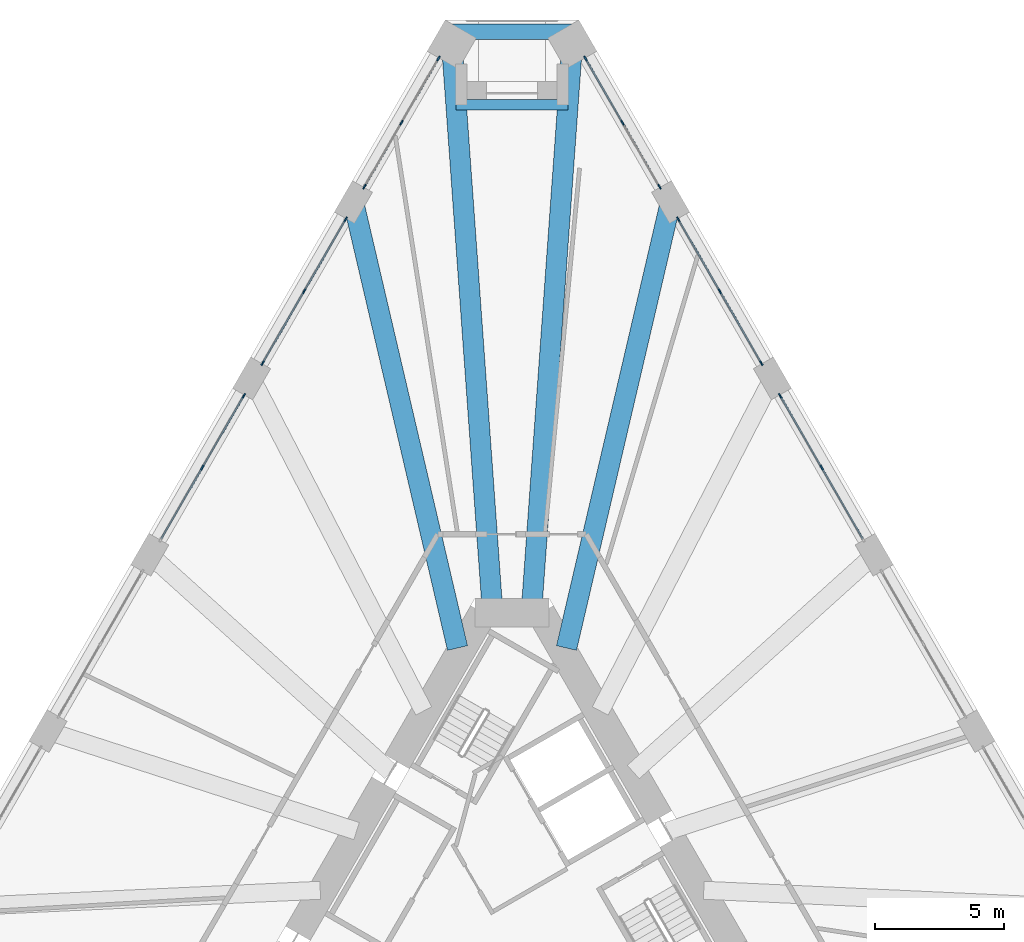
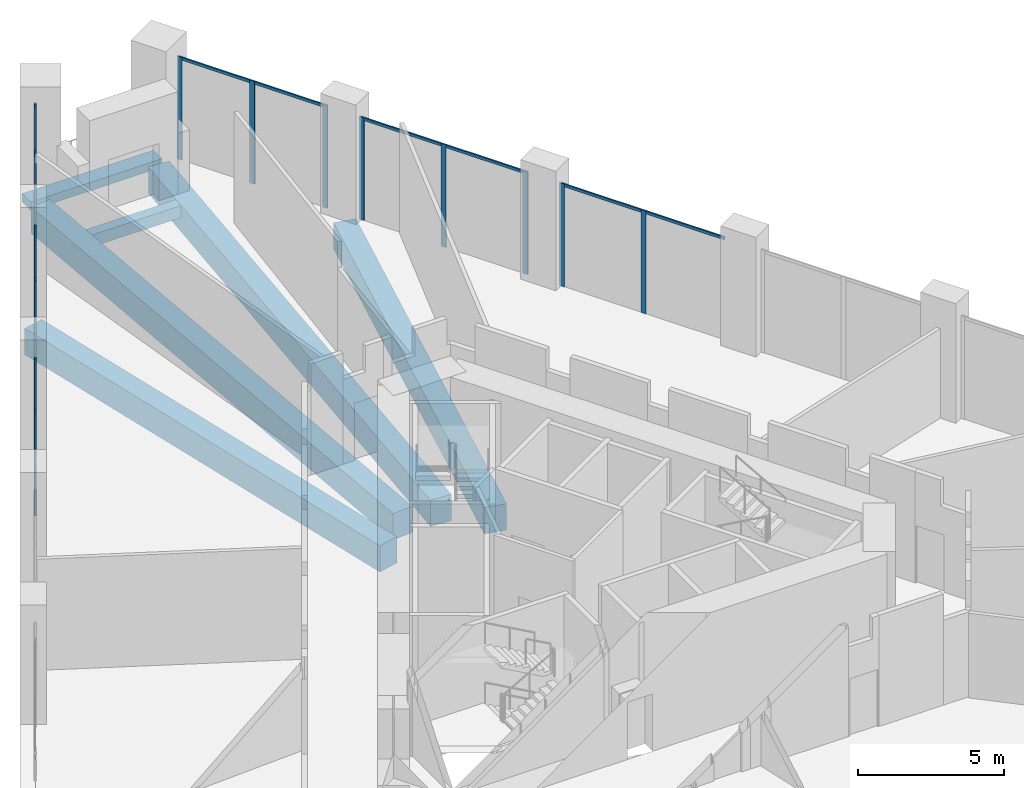
# One storey, part 11 of 20: 28 members, 6 beams, 6 elements without a shape of their own.
"""IFC4 building model written with IfcOpenShell, lengths in metres."""

import ifcopenshell
import ifcopenshell.guid

model = None  # the IFC model being written
_history = None  # IfcOwnerHistory: only IFC2X3 demands one
_inside = {}  # id of a spatial element -> (the spatial element, [elements in it])
_under = {}  # id of a project, library or spatial element -> (it, [spatial elements below it])
_declared = {}  # id of a project -> (the project, [libraries it declares])
_typed = {}  # id of a type object -> (the type object, [elements of that type])
_made_of = {}  # id of a material, layer set ... -> (it, [elements and type objects made of it])


def new_model(schema):
    """Start an empty IFC model of exactly this schema.

    Asked for "IFC4X3", IfcOpenShell would pick the latest addendum, in which some entities
    have other attributes; the version numbers below select the first issue.
    IFC2X3 requires an IfcOwnerHistory on every rooted entity: one is made here for all.
    """
    global model, _history
    if schema == "IFC4X3":
        model = ifcopenshell.file(schema_version=(4, 3, 0, 0))
    else:
        model = ifcopenshell.file(schema=schema)
    _inside.clear()
    _under.clear()
    _declared.clear()
    _typed.clear()
    _made_of.clear()
    _history = None
    if model.schema == "IFC2X3":
        org = make("IfcOrganization", Name="unknown")
        user = make(
            "IfcPersonAndOrganization",
            ThePerson=make("IfcPerson", FamilyName="unknown"),
            TheOrganization=org,
        )
        app = make(
            "IfcApplication",
            ApplicationDeveloper=org,
            Version="unknown",
            ApplicationFullName="unknown",
            ApplicationIdentifier="unknown",
        )
        _history = make(
            "IfcOwnerHistory",
            OwningUser=user,
            OwningApplication=app,
            ChangeAction="ADDED",
            CreationDate=0,
        )
    return model


def make(cls, **values):
    """One entity of the class cls with the attributes given. An attribute that is None is left unset."""
    return model.create_entity(
        cls, **{name: value for name, value in values.items() if value is not None}
    )


def rooted(cls, **values):
    """An entity with a GlobalId (a new one), such as an element, a storey or a relation."""
    return make(cls, GlobalId=ifcopenshell.guid.new(), OwnerHistory=_history, **values)


def si_unit(unit_type, name, prefix=None):
    """IfcSIUnit, for example si_unit("LENGTHUNIT", "METRE", prefix="MILLI")."""
    return make("IfcSIUnit", UnitType=unit_type, Prefix=prefix, Name=name)


def assignment(units):
    """IfcUnitAssignment: the units of a project."""
    return None if units is None else make("IfcUnitAssignment", Units=units)


def point(xyz):
    """IfcCartesianPoint."""
    return None if xyz is None else make("IfcCartesianPoint", Coordinates=xyz)


def direction(xyz):
    """IfcDirection."""
    return None if xyz is None else make("IfcDirection", DirectionRatios=xyz)


def frame(location, z_axis=None, x_axis=None):
    """IfcAxis2Placement3D, a coordinate frame: its origin and axes. An axis left out is left unset."""
    return make(
        "IfcAxis2Placement3D",
        Location=point(location),
        Axis=direction(z_axis),
        RefDirection=direction(x_axis),
    )


def frame_2d(location, x_axis=None):
    """IfcAxis2Placement2D, a coordinate frame in the plane: its origin and x axis."""
    return make(
        "IfcAxis2Placement2D", Location=point(location), RefDirection=direction(x_axis)
    )


def origin():
    """The frame at (0, 0, 0) with its axes left unset."""
    return frame((0.0, 0.0, 0.0))


def origin_2d():
    """The frame at (0, 0) in the plane with its x axis left unset."""
    return frame_2d((0.0, 0.0))


def place(relative_to, where):
    """IfcLocalPlacement: puts the frame where relative to a parent placement (None: the world)."""
    return make(
        "IfcLocalPlacement", PlacementRelTo=relative_to, RelativePlacement=where
    )


def context(
    kind, dimensions, precision=None, world=None, true_north=None, identifier=None
):
    """IfcGeometricRepresentationContext, for example the 3D "Model" context."""
    return make(
        "IfcGeometricRepresentationContext",
        ContextIdentifier=identifier,
        ContextType=kind,
        CoordinateSpaceDimension=dimensions,
        Precision=precision,
        WorldCoordinateSystem=world,
        TrueNorth=true_north,
    )


def subcontext(parent, identifier, kind, view, scale=None):
    """IfcGeometricRepresentationSubContext, for example "Body" below "Model"."""
    return make(
        "IfcGeometricRepresentationSubContext",
        ContextIdentifier=identifier,
        ContextType=kind,
        ParentContext=parent,
        TargetScale=scale,
        TargetView=view,
    )


def project(units=None, contexts=None):
    """IfcProject with its units and contexts."""
    return rooted(
        "IfcProject",
        Name="project",
        RepresentationContexts=contexts,
        UnitsInContext=assignment(units),
    )


def spatial(cls, under=None, at=None, **own):
    """A site, building, storey or space (cls), placed at a placement, below another one or the project."""
    s = rooted(cls, ObjectPlacement=at, **own)
    if under is not None:
        _under.setdefault(under.id(), (under, []))[1].append(s)
    return s


def profile(cls, at=None, kind="AREA", **sizes):
    """A parametric profile (cls). Its sizes go by their IFC names, for example OverallWidth=200.0."""
    return make(cls, ProfileType=kind, Position=at, **sizes)


def rectangle(**sizes):
    """IfcRectangleProfileDef."""
    return profile("IfcRectangleProfileDef", **sizes)


def extrude(swept, where, along, depth):
    """IfcExtrudedAreaSolid: the profile swept, set in the frame where, extruded along a direction by depth."""
    return make(
        "IfcExtrudedAreaSolid",
        SweptArea=swept,
        Position=where,
        ExtrudedDirection=direction(along),
        Depth=depth,
    )


def shape(context_of_items, identifier, shape_type, items):
    """IfcShapeRepresentation: the items that make up one representation, for example the "Body"."""
    return make(
        "IfcShapeRepresentation",
        ContextOfItems=context_of_items,
        RepresentationIdentifier=identifier,
        RepresentationType=shape_type,
        Items=items,
    )


def material(Name=None, Category=None):
    """IfcMaterial."""
    return make("IfcMaterial", Name=Name, Category=Category)


def layer(
    of_material, thickness, ventilated=None, Name=None, Category=None, Priority=None
):
    """IfcMaterialLayer: one layer of a wall or slab, of a material (None: an air gap)."""
    return make(
        "IfcMaterialLayer",
        Material=of_material,
        LayerThickness=thickness,
        IsVentilated=ventilated,
        Name=Name,
        Category=Category,
        Priority=Priority,
    )


def layer_set(layers, Name=None):
    """IfcMaterialLayerSet."""
    return make("IfcMaterialLayerSet", MaterialLayers=layers, LayerSetName=Name)


def material_profile(
    of_material, cross_section, Name=None, Category=None, Priority=None
):
    """IfcMaterialProfile: a cross section and its material."""
    return make(
        "IfcMaterialProfile",
        Name=Name,
        Material=of_material,
        Profile=cross_section,
        Priority=Priority,
        Category=Category,
    )


def profile_set(profiles, Name=None, composite=None):
    """IfcMaterialProfileSet."""
    return make(
        "IfcMaterialProfileSet",
        Name=Name,
        MaterialProfiles=profiles,
        CompositeProfile=composite,
    )


def made_of(thing, what):
    """Note that an element or type object is made of a material, layer set ...; save() writes the relation."""
    if what is not None:
        _made_of.setdefault(what.id(), (what, []))[1].append(thing)
    return thing


def type_object(cls, material=None, **own):
    """A type object (cls), such as IfcWallType, which elements share."""
    return made_of(rooted(cls, **own), material)


def element(
    cls,
    number,
    at=None,
    inside=None,
    cuts=None,
    type_object=None,
    material=None,
    context=None,
    identifier="Body",
    shape_type=None,
    held_by="IfcProductDefinitionShape",
    body=None,
    shapes=None,
    **own,
):
    """One element of the class cls, such as IfcWall. Its Tag is "e" and its number.

    at: its placement. inside: the storey or other place that contains it. cuts: it is an
    opening in that element (IfcRelVoidsElement). A single representation is given by context,
    identifier, shape_type and body (its items); several are given by shapes. held_by: the class
    of the entity that holds the representations. save() writes the other relations.
    """
    e = rooted(cls, Tag="e%d" % number, ObjectPlacement=at, **own)
    if body is not None:
        shapes = [shape(context, identifier, shape_type, body)]
    if shapes is not None:
        e.Representation = make(held_by, Representations=shapes)
    if inside is not None:
        _inside.setdefault(inside.id(), (inside, []))[1].append(e)
    if cuts is not None:
        rooted(
            "IfcRelVoidsElement", RelatingBuildingElement=cuts, RelatedOpeningElement=e
        )
    if type_object is not None:
        _typed.setdefault(type_object.id(), (type_object, []))[1].append(e)
    return made_of(e, material)


def aggregate(whole, parts):
    """IfcRelAggregates: a whole, such as a stair, and the parts it consists of."""
    return rooted("IfcRelAggregates", RelatingObject=whole, RelatedObjects=parts)


def save(model, path):
    """Write the relations noted so far, then the file.

    IfcRelAggregates (storeys below a building ...), IfcRelContainedInSpatialStructure (elements
    in a storey), IfcRelDefinesByType, IfcRelAssociatesMaterial and IfcRelDeclares: one each for
    every whole, place, type object, material and project.
    """
    for whole, parts in _under.values():
        aggregate(whole, parts)
    for where, things in _inside.values():
        rooted(
            "IfcRelContainedInSpatialStructure",
            RelatedElements=things,
            RelatingStructure=where,
        )
    for kind, things in _typed.values():
        rooted("IfcRelDefinesByType", RelatedObjects=things, RelatingType=kind)
    for what, things in _made_of.values():
        rooted("IfcRelAssociatesMaterial", RelatedObjects=things, RelatingMaterial=what)
    for by, libraries in _declared.values():
        rooted("IfcRelDeclares", RelatingContext=by, RelatedDefinitions=libraries)
    model.write(path)


model = new_model("IFC4")

# Units and contexts
model_context = context("Model", 3, precision=1e-05, world=origin(), true_north=direction((0.0, 1.0)))
body_context = subcontext(model_context, "Body", "Model", "MODEL_VIEW")
ifc_project = project(units=[si_unit("LENGTHUNIT", "METRE"), si_unit("AREAUNIT", "SQUARE_METRE"), si_unit("VOLUMEUNIT", "CUBIC_METRE"), si_unit("PLANEANGLEUNIT", "RADIAN"), si_unit("MASSUNIT", "GRAM", prefix="KILO")], contexts=[model_context])

# Site, building, storey
site_placement = place(None, origin())
site = spatial("IfcSite", under=ifc_project, at=site_placement, CompositionType="ELEMENT")
building_placement = place(site_placement, origin())
building = spatial("IfcBuilding", under=site, at=building_placement, Name="Tramontana Tower", CompositionType="ELEMENT")
storey_placement = place(building_placement, frame((0.0, 0.0, 20.0)))
storey = spatial("IfcBuildingStorey", under=building, at=storey_placement, Name="L03", CompositionType="ELEMENT", Elevation=20.0)

# Curtain wall, members
ifc_material_1 = material(Name="Aluminum extrusion", Category="aluminium")
ifc_layer = layer(ifc_material_1, 0.14990234375)
ifc_layer_set = layer_set([ifc_layer], Name="CW2 Podium amenity curtain wall")
curtain_wall_type = type_object("IfcCurtainWallType", Name="CW2 Podium amenity curtain wall", PredefinedType="NOTDEFINED", material=ifc_layer_set)
curtain_wall_1_placement = place(storey_placement, origin())
curtain_wall_1 = element("IfcCurtainWall", 1, at=curtain_wall_1_placement, inside=storey, type_object=curtain_wall_type, Name="CW2 curtain wall L03 face 0 bay 1", PredefinedType="NOTDEFINED")
ifc_material_2 = material(Name="Aluminum extrusion", Category="aluminium")
ifc_material_profile_1 = material_profile(ifc_material_2, rectangle(XDim=0.06005859375, YDim=0.199951171875, at=origin_2d()), Name="CW2-M Mullion 60 x 200")
ifc_profile_set_1 = profile_set([ifc_material_profile_1], Name="Aluminum extrusion")
member_type_1 = type_object("IfcMemberType", Name="CW2-M Mullion 60 x 200", PredefinedType="MULLION", material=ifc_profile_set_1)
member_1_placement = place(storey_placement, frame((-2.8583984375, 31.9990234375, 0.0), z_axis=(0.0, 0.0, 1.0), x_axis=(0.866025403784, -0.5, 0.0)))
member_1 = element("IfcMember", 2, at=member_1_placement, type_object=member_type_1, Name="CW2 curtain wall L03 face 0 bay 1 mullion 1", PredefinedType="MULLION", context=body_context, shape_type="SweptSolid", body=[
    extrude(rectangle(XDim=0.06005859375, YDim=0.199951171875, at=origin_2d()), origin(), (0.0, 0.0, 1.0), 4.300048828125),
])
member_2_placement = place(storey_placement, frame((-4.2978515625, 29.505859375, 0.0), z_axis=(0.0, 0.0, 1.0), x_axis=(0.866025403784, -0.5, 0.0)))
member_2 = element("IfcMember", 3, at=member_2_placement, type_object=member_type_1, Name="CW2 curtain wall L03 face 0 bay 1 mullion 2", PredefinedType="MULLION", context=body_context, shape_type="SweptSolid", body=[
    extrude(rectangle(XDim=0.06005859375, YDim=0.199951171875, at=origin_2d()), origin(), (0.0, 0.0, 1.0), 4.300048828125),
])
member_3_placement = place(storey_placement, frame((-5.7373046875, 27.012451171875, 0.0), z_axis=(0.0, 0.0, 1.0), x_axis=(0.866025403784, -0.5, 0.0)))
member_3 = element("IfcMember", 4, at=member_3_placement, type_object=member_type_1, Name="CW2 curtain wall L03 face 0 bay 1 mullion 3", PredefinedType="MULLION", context=body_context, shape_type="SweptSolid", body=[
    extrude(rectangle(XDim=0.06005859375, YDim=0.199951171875, at=origin_2d()), origin(), (0.0, 0.0, 1.0), 4.300048828125),
])

curtain_wall_2_placement = place(storey_placement, origin())
curtain_wall_2 = element("IfcCurtainWall", 5, at=curtain_wall_2_placement, inside=storey, type_object=curtain_wall_type, Name="CW2 curtain wall L03 face 0 bay 2", PredefinedType="NOTDEFINED")
member_4_placement = place(storey_placement, frame((-6.46728515625, 25.748046875, 0.0), z_axis=(0.0, 0.0, 1.0), x_axis=(0.866025403784, -0.5, 0.0)))
member_4 = element("IfcMember", 6, at=member_4_placement, type_object=member_type_1, Name="CW2 curtain wall L03 face 0 bay 2 mullion 1", PredefinedType="MULLION", context=body_context, shape_type="SweptSolid", body=[
    extrude(rectangle(XDim=0.06005859375, YDim=0.199951171875, at=origin_2d()), origin(), (0.0, 0.0, 1.0), 4.300048828125),
])
member_5_placement = place(storey_placement, frame((-8.081787109375, 22.951904296875, 0.0), z_axis=(0.0, 0.0, 1.0), x_axis=(0.866025403784, -0.5, 0.0)))
member_5 = element("IfcMember", 7, at=member_5_placement, type_object=member_type_1, Name="CW2 curtain wall L03 face 0 bay 2 mullion 2", PredefinedType="MULLION", context=body_context, shape_type="SweptSolid", body=[
    extrude(rectangle(XDim=0.06005859375, YDim=0.199951171875, at=origin_2d()), origin(), (0.0, 0.0, 1.0), 4.300048828125),
])
member_6_placement = place(storey_placement, frame((-9.6962890625, 20.155517578125, 0.0), z_axis=(0.0, 0.0, 1.0), x_axis=(0.866025403784, -0.5, 0.0)))
member_6 = element("IfcMember", 8, at=member_6_placement, type_object=member_type_1, Name="CW2 curtain wall L03 face 0 bay 2 mullion 3", PredefinedType="MULLION", context=body_context, shape_type="SweptSolid", body=[
    extrude(rectangle(XDim=0.06005859375, YDim=0.199951171875, at=origin_2d()), origin(), (0.0, 0.0, 1.0), 4.300048828125),
])

curtain_wall_3_placement = place(storey_placement, origin())
curtain_wall_3 = element("IfcCurtainWall", 9, at=curtain_wall_3_placement, inside=storey, type_object=curtain_wall_type, Name="CW2 curtain wall L03 face 0 bay 3", PredefinedType="NOTDEFINED")
member_7_placement = place(storey_placement, frame((-10.42626953125, 18.89111328125, 0.0), z_axis=(0.0, 0.0, 1.0), x_axis=(0.866025403784, -0.5, 0.0)))
member_7 = element("IfcMember", 10, at=member_7_placement, type_object=member_type_1, Name="CW2 curtain wall L03 face 0 bay 3 mullion 1", PredefinedType="MULLION", context=body_context, shape_type="SweptSolid", body=[
    extrude(rectangle(XDim=0.06005859375, YDim=0.199951171875, at=origin_2d()), origin(), (0.0, 0.0, 1.0), 4.300048828125),
])
member_8_placement = place(storey_placement, frame((-12.040771484375, 16.0947265625, 0.0), z_axis=(0.0, 0.0, 1.0), x_axis=(0.866025403784, -0.5, 0.0)))
member_8 = element("IfcMember", 11, at=member_8_placement, type_object=member_type_1, Name="CW2 curtain wall L03 face 0 bay 3 mullion 2", PredefinedType="MULLION", context=body_context, shape_type="SweptSolid", body=[
    extrude(rectangle(XDim=0.06005859375, YDim=0.199951171875, at=origin_2d()), origin(), (0.0, 0.0, 1.0), 4.300048828125),
])

curtain_wall_4_placement = place(storey_placement, origin())
curtain_wall_4 = element("IfcCurtainWall", 12, at=curtain_wall_4_placement, inside=storey, type_object=curtain_wall_type, Name="CW2 curtain wall L03 face 2 bay 5", PredefinedType="NOTDEFINED")
member_9_placement = place(storey_placement, frame((12.040771484375, 16.0947265625, 0.0), z_axis=(0.0, 0.0, 1.0), x_axis=(-0.866025403784, -0.5, 0.0)))
member_9 = element("IfcMember", 13, at=member_9_placement, type_object=member_type_1, Name="CW2 curtain wall L03 face 2 bay 5 mullion 2", PredefinedType="MULLION", context=body_context, shape_type="SweptSolid", body=[
    extrude(rectangle(XDim=0.06005859375, YDim=0.199951171875, at=origin_2d()), origin(), (0.0, 0.0, 1.0), 4.300048828125),
])
member_10_placement = place(storey_placement, frame((10.42626953125, 18.89111328125, 0.0), z_axis=(0.0, 0.0, 1.0), x_axis=(-0.866025403784, -0.5, 0.0)))
member_10 = element("IfcMember", 14, at=member_10_placement, type_object=member_type_1, Name="CW2 curtain wall L03 face 2 bay 5 mullion 3", PredefinedType="MULLION", context=body_context, shape_type="SweptSolid", body=[
    extrude(rectangle(XDim=0.06005859375, YDim=0.199951171875, at=origin_2d()), origin(), (0.0, 0.0, 1.0), 4.300048828125),
])

curtain_wall_5_placement = place(storey_placement, origin())
curtain_wall_5 = element("IfcCurtainWall", 15, at=curtain_wall_5_placement, inside=storey, type_object=curtain_wall_type, Name="CW2 curtain wall L03 face 2 bay 6", PredefinedType="NOTDEFINED")
member_11_placement = place(storey_placement, frame((9.6962890625, 20.155517578125, 0.0), z_axis=(0.0, 0.0, 1.0), x_axis=(-0.866025403784, -0.5, 0.0)))
member_11 = element("IfcMember", 16, at=member_11_placement, type_object=member_type_1, Name="CW2 curtain wall L03 face 2 bay 6 mullion 1", PredefinedType="MULLION", context=body_context, shape_type="SweptSolid", body=[
    extrude(rectangle(XDim=0.06005859375, YDim=0.199951171875, at=origin_2d()), origin(), (0.0, 0.0, 1.0), 4.300048828125),
])
member_12_placement = place(storey_placement, frame((8.081787109375, 22.951904296875, 0.0), z_axis=(0.0, 0.0, 1.0), x_axis=(-0.866025403784, -0.5, 0.0)))
member_12 = element("IfcMember", 17, at=member_12_placement, type_object=member_type_1, Name="CW2 curtain wall L03 face 2 bay 6 mullion 2", PredefinedType="MULLION", context=body_context, shape_type="SweptSolid", body=[
    extrude(rectangle(XDim=0.06005859375, YDim=0.199951171875, at=origin_2d()), origin(), (0.0, 0.0, 1.0), 4.300048828125),
])
member_13_placement = place(storey_placement, frame((6.46728515625, 25.748046875, 0.0), z_axis=(0.0, 0.0, 1.0), x_axis=(-0.866025403784, -0.5, 0.0)))
member_13 = element("IfcMember", 18, at=member_13_placement, type_object=member_type_1, Name="CW2 curtain wall L03 face 2 bay 6 mullion 3", PredefinedType="MULLION", context=body_context, shape_type="SweptSolid", body=[
    extrude(rectangle(XDim=0.06005859375, YDim=0.199951171875, at=origin_2d()), origin(), (0.0, 0.0, 1.0), 4.300048828125),
])

curtain_wall_6_placement = place(storey_placement, origin())
curtain_wall_6 = element("IfcCurtainWall", 19, at=curtain_wall_6_placement, inside=storey, type_object=curtain_wall_type, Name="CW2 curtain wall L03 face 2 bay 7", PredefinedType="NOTDEFINED")
member_14_placement = place(storey_placement, frame((5.7373046875, 27.012451171875, 0.0), z_axis=(0.0, 0.0, 1.0), x_axis=(-0.866025403784, -0.5, 0.0)))
member_14 = element("IfcMember", 20, at=member_14_placement, type_object=member_type_1, Name="CW2 curtain wall L03 face 2 bay 7 mullion 1", PredefinedType="MULLION", context=body_context, shape_type="SweptSolid", body=[
    extrude(rectangle(XDim=0.06005859375, YDim=0.199951171875, at=origin_2d()), origin(), (0.0, 0.0, 1.0), 4.300048828125),
])
member_15_placement = place(storey_placement, frame((4.2978515625, 29.505859375, 0.0), z_axis=(0.0, 0.0, 1.0), x_axis=(-0.866025403784, -0.5, 0.0)))
member_15 = element("IfcMember", 21, at=member_15_placement, type_object=member_type_1, Name="CW2 curtain wall L03 face 2 bay 7 mullion 2", PredefinedType="MULLION", context=body_context, shape_type="SweptSolid", body=[
    extrude(rectangle(XDim=0.06005859375, YDim=0.199951171875, at=origin_2d()), origin(), (0.0, 0.0, 1.0), 4.300048828125),
])
member_16_placement = place(storey_placement, frame((2.8583984375, 31.9990234375, 0.0), z_axis=(0.0, 0.0, 1.0), x_axis=(-0.866025403784, -0.5, 0.0)))
member_16 = element("IfcMember", 22, at=member_16_placement, type_object=member_type_1, Name="CW2 curtain wall L03 face 2 bay 7 mullion 3", PredefinedType="MULLION", context=body_context, shape_type="SweptSolid", body=[
    extrude(rectangle(XDim=0.06005859375, YDim=0.199951171875, at=origin_2d()), origin(), (0.0, 0.0, 1.0), 4.300048828125),
])

# Member
ifc_material_3 = material(Name="Aluminum extrusion", Category="aluminium")
ifc_material_profile_2 = material_profile(ifc_material_3, rectangle(XDim=0.06005859375, YDim=0.1201171875, at=origin_2d()), Name="CW2-T Transom 60 x 120")
ifc_profile_set_2 = profile_set([ifc_material_profile_2], Name="Aluminum extrusion")
member_type_2 = type_object("IfcMemberType", Name="CW2-T Transom 60 x 120", PredefinedType="USERDEFINED", material=ifc_profile_set_2)
member_17_placement = place(storey_placement, frame((-2.873291015625, 31.97314453125, 4.239990234375), z_axis=(-0.500032300065, -0.86600675453, 0.0), x_axis=(0.86600675453, -0.500032300065, 0.0)))
member_17 = element("IfcMember", 23, at=member_17_placement, type_object=member_type_2, Name="CW2 curtain wall L03 face 0 bay 1 transom 1.1", ObjectType="TRANSOM", PredefinedType="USERDEFINED", context=body_context, shape_type="SweptSolid", body=[
    extrude(rectangle(XDim=0.06005859375, YDim=0.1201171875, at=origin_2d()), origin(), (0.0, 0.0, 1.0), 2.819091796875),
])

member_18_placement = place(storey_placement, frame((-4.31298828125, 29.479736328125, 4.239990234375), z_axis=(-0.500004849665, -0.866022603811, 0.0), x_axis=(0.866022603811, -0.500004849665, 0.0)))
member_18 = element("IfcMember", 24, at=member_18_placement, type_object=member_type_2, Name="CW2 curtain wall L03 face 0 bay 1 transom 2.1", ObjectType="TRANSOM", PredefinedType="USERDEFINED", context=body_context, shape_type="SweptSolid", body=[
    extrude(rectangle(XDim=0.06005859375, YDim=0.1201171875, at=origin_2d()), origin(), (0.0, 0.0, 1.0), 2.81884765625),
])

aggregate(curtain_wall_1, [member_1, member_2, member_3, member_17, member_18])

member_19_placement = place(storey_placement, frame((-6.482421875, 25.72216796875, 4.239990234375), z_axis=(-0.500000324964, -0.866025216166, 0.0), x_axis=(0.866025216166, -0.500000324964, 0.0)))
member_19 = element("IfcMember", 25, at=member_19_placement, type_object=member_type_2, Name="CW2 curtain wall L03 face 0 bay 2 transom 1.1", ObjectType="TRANSOM", PredefinedType="USERDEFINED", context=body_context, shape_type="SweptSolid", body=[
    extrude(rectangle(XDim=0.06005859375, YDim=0.1201171875, at=origin_2d()), origin(), (0.0, 0.0, 1.0), 3.1689453125),
])

member_20_placement = place(storey_placement, frame((-8.096923828125, 22.92578125, 4.239990234375), z_axis=(-0.500000324964, -0.866025216166, 0.0), x_axis=(0.866025216166, -0.500000324964, 0.0)))
member_20 = element("IfcMember", 26, at=member_20_placement, type_object=member_type_2, Name="CW2 curtain wall L03 face 0 bay 2 transom 2.1", ObjectType="TRANSOM", PredefinedType="USERDEFINED", context=body_context, shape_type="SweptSolid", body=[
    extrude(rectangle(XDim=0.06005859375, YDim=0.1201171875, at=origin_2d()), origin(), (0.0, 0.0, 1.0), 3.1689453125),
])

aggregate(curtain_wall_2, [member_4, member_5, member_6, member_19, member_20])

member_21_placement = place(storey_placement, frame((-10.44140625, 18.864990234375, 4.239990234375), z_axis=(-0.500000324964, -0.866025216166, 0.0), x_axis=(0.866025216166, -0.500000324964, 0.0)))
member_21 = element("IfcMember", 27, at=member_21_placement, type_object=member_type_2, Name="CW2 curtain wall L03 face 0 bay 3 transom 1.1", ObjectType="TRANSOM", PredefinedType="USERDEFINED", context=body_context, shape_type="SweptSolid", body=[
    extrude(rectangle(XDim=0.06005859375, YDim=0.1201171875, at=origin_2d()), origin(), (0.0, 0.0, 1.0), 3.1689453125),
])

member_22_placement = place(storey_placement, frame((-12.055908203125, 16.068603515625, 4.239990234375), z_axis=(-0.500000324964, -0.866025216166, 0.0), x_axis=(0.866025216166, -0.500000324964, 0.0)))
member_22 = element("IfcMember", 28, at=member_22_placement, type_object=member_type_2, Name="CW2 curtain wall L03 face 0 bay 3 transom 2.1", ObjectType="TRANSOM", PredefinedType="USERDEFINED", context=body_context, shape_type="SweptSolid", body=[
    extrude(rectangle(XDim=0.06005859375, YDim=0.1201171875, at=origin_2d()), origin(), (0.0, 0.0, 1.0), 3.1689453125),
])

aggregate(curtain_wall_3, [member_7, member_8, member_21, member_22])

member_23_placement = place(storey_placement, frame((13.640380859375, 13.32421875, 4.239990234375), z_axis=(-0.500000324964, 0.866025216166, 0.0), x_axis=(-0.866025216166, -0.500000324964, 0.0)))
member_23 = element("IfcMember", 29, at=member_23_placement, type_object=member_type_2, Name="CW2 curtain wall L03 face 2 bay 5 transom 1.1", ObjectType="TRANSOM", PredefinedType="USERDEFINED", context=body_context, shape_type="SweptSolid", body=[
    extrude(rectangle(XDim=0.06005859375, YDim=0.1201171875, at=origin_2d()), origin(), (0.0, 0.0, 1.0), 3.1689453125),
])

member_24_placement = place(storey_placement, frame((12.02587890625, 16.12060546875, 4.239990234375), z_axis=(-0.500000324964, 0.866025216166, 0.0), x_axis=(-0.866025216166, -0.500000324964, 0.0)))
member_24 = element("IfcMember", 30, at=member_24_placement, type_object=member_type_2, Name="CW2 curtain wall L03 face 2 bay 5 transom 2.1", ObjectType="TRANSOM", PredefinedType="USERDEFINED", context=body_context, shape_type="SweptSolid", body=[
    extrude(rectangle(XDim=0.06005859375, YDim=0.1201171875, at=origin_2d()), origin(), (0.0, 0.0, 1.0), 3.1689453125),
])

aggregate(curtain_wall_4, [member_9, member_10, member_23, member_24])

member_25_placement = place(storey_placement, frame((9.681396484375, 20.181396484375, 4.239990234375), z_axis=(-0.500000324964, 0.866025216166, 0.0), x_axis=(-0.866025216166, -0.500000324964, 0.0)))
member_25 = element("IfcMember", 31, at=member_25_placement, type_object=member_type_2, Name="CW2 curtain wall L03 face 2 bay 6 transom 1.1", ObjectType="TRANSOM", PredefinedType="USERDEFINED", context=body_context, shape_type="SweptSolid", body=[
    extrude(rectangle(XDim=0.06005859375, YDim=0.1201171875, at=origin_2d()), origin(), (0.0, 0.0, 1.0), 3.1689453125),
])

member_26_placement = place(storey_placement, frame((8.06689453125, 22.977783203125, 4.239990234375), z_axis=(-0.500000324964, 0.866025216166, 0.0), x_axis=(-0.866025216166, -0.500000324964, 0.0)))
member_26 = element("IfcMember", 32, at=member_26_placement, type_object=member_type_2, Name="CW2 curtain wall L03 face 2 bay 6 transom 2.1", ObjectType="TRANSOM", PredefinedType="USERDEFINED", context=body_context, shape_type="SweptSolid", body=[
    extrude(rectangle(XDim=0.06005859375, YDim=0.1201171875, at=origin_2d()), origin(), (0.0, 0.0, 1.0), 3.1689453125),
])

aggregate(curtain_wall_5, [member_11, member_12, member_13, member_25, member_26])

member_27_placement = place(storey_placement, frame((5.722412109375, 27.03857421875, 4.239990234375), z_axis=(-0.500004849665, 0.866022603811, 0.0), x_axis=(-0.866022603811, -0.500004849665, 0.0)))
member_27 = element("IfcMember", 33, at=member_27_placement, type_object=member_type_2, Name="CW2 curtain wall L03 face 2 bay 7 transom 1.1", ObjectType="TRANSOM", PredefinedType="USERDEFINED", context=body_context, shape_type="SweptSolid", body=[
    extrude(rectangle(XDim=0.06005859375, YDim=0.1201171875, at=origin_2d()), origin(), (0.0, 0.0, 1.0), 2.81884765625),
])

member_28_placement = place(storey_placement, frame((4.282958984375, 29.53173828125, 4.239990234375), z_axis=(-0.500032300065, 0.86600675453, 0.0), x_axis=(-0.86600675453, -0.500032300065, 0.0)))
member_28 = element("IfcMember", 34, at=member_28_placement, type_object=member_type_2, Name="CW2 curtain wall L03 face 2 bay 7 transom 2.1", ObjectType="TRANSOM", PredefinedType="USERDEFINED", context=body_context, shape_type="SweptSolid", body=[
    extrude(rectangle(XDim=0.06005859375, YDim=0.1201171875, at=origin_2d()), origin(), (0.0, 0.0, 1.0), 2.819091796875),
])

aggregate(curtain_wall_6, [member_14, member_15, member_16, member_27, member_28])

# Beams
ifc_material_4 = material(Name="Concrete 40 MPa", Category="concrete")
ifc_material_profile_3 = material_profile(ifc_material_4, rectangle(XDim=0.60009765625, YDim=0.35009765625, at=origin_2d()), Name="RC EDGE BEAM 600X350 40 MPa")
ifc_profile_set_3 = profile_set([ifc_material_profile_3], Name="Concrete 40 MPa")
beam_type_1 = type_object("IfcBeamType", Name="RC EDGE BEAM 600X350 40 MPa", PredefinedType="SPANDREL", material=ifc_profile_set_3)
beam_1_placement = place(storey_placement, frame((2.59814453125, 33.050048828125, -0.52490234375), z_axis=(-1.0, 0.0, 0.0), x_axis=(0.0, -1.0, 0.0)))
element("IfcBeam", 35, at=beam_1_placement, inside=storey, type_object=beam_type_1, Name="Spandrel beam K0 L03", PredefinedType="SPANDREL", context=body_context, shape_type="SweptSolid", body=[
    extrude(rectangle(XDim=0.60009765625, YDim=0.35009765625, at=origin_2d()), origin(), (0.0, 0.0, 1.0), 5.1962890625),
])
ifc_material_5 = material(Name="Concrete 40 MPa", Category="concrete")
ifc_material_profile_4 = material_profile(ifc_material_5, rectangle(XDim=0.800048828125, YDim=1.10009765625, at=origin_2d()), Name="RC GIRDER 800X1100 40 MPa")
ifc_profile_set_4 = profile_set([ifc_material_profile_4], Name="Concrete 40 MPa")
beam_type_2 = type_object("IfcBeamType", Name="RC GIRDER 800X1100 40 MPa", PredefinedType="BEAM", material=ifc_profile_set_4)
beam_2_placement = place(storey_placement, frame((-2.341796875, 32.543701171875, -0.89990234375), z_axis=(0.071767165612, -0.997421412413, 0.0), x_axis=(0.997421412413, 0.071767165612, 0.0)))
element("IfcBeam", 36, at=beam_2_placement, inside=storey, type_object=beam_type_2, Name="Radial girder C0K1 L03", PredefinedType="BEAM", context=body_context, shape_type="SweptSolid", body=[
    extrude(rectangle(XDim=0.800048828125, YDim=1.10009765625, at=origin_2d()), origin(), (0.0, 0.0, 1.0), 22.1494140625),
])
for number, where, z_axis, x_axis, name in (
    (37, (-6.167236328125, 26.41796875, -0.89990234375), (0.227334068495, -0.973816831494, 0.0), (0.973816831494, 0.227334068495, 0.0), "Radial girder C0F01 L03"),
    (38, (6.167236328125, 26.41796875, -0.89990234375), (-0.227334068495, -0.973816831494, 0.0), (0.973816831494, -0.227334068495, 0.0), "Radial girder C0F18 L03"),
):
    element("IfcBeam", number, at=place(storey_placement, frame(where, z_axis=z_axis, x_axis=x_axis)), inside=storey, type_object=beam_type_2, Name=name, PredefinedType="BEAM", context=body_context, shape_type="SweptSolid", body=[
        extrude(rectangle(XDim=0.800048828125, YDim=1.10009765625, at=origin_2d()), origin(), (0.0, 0.0, 1.0), 17.806884765625),
    ])
beam_3_placement = place(storey_placement, frame((2.341796875, 32.543701171875, -0.89990234375), z_axis=(-0.071767165612, -0.997421412413, 0.0), x_axis=(0.997421412413, -0.071767165612, 0.0)))
element("IfcBeam", 39, at=beam_3_placement, inside=storey, type_object=beam_type_2, Name="Radial girder C0K6 L03", PredefinedType="BEAM", context=body_context, shape_type="SweptSolid", body=[
    extrude(rectangle(XDim=0.800048828125, YDim=1.10009765625, at=origin_2d()), origin(), (0.0, 0.0, 1.0), 22.1494140625),
])
ifc_material_6 = material(Name="Concrete 40 MPa", Category="concrete")
ifc_material_profile_5 = material_profile(ifc_material_6, rectangle(XDim=0.39990234375, YDim=0.5, at=origin_2d()), Name="RC TRIM BEAM 400X500 40 MPa")
ifc_profile_set_5 = profile_set([ifc_material_profile_5], Name="Concrete 40 MPa")
beam_type_3 = type_object("IfcBeamType", Name="RC TRIM BEAM 400X500 40 MPa", PredefinedType="JOIST", material=ifc_profile_set_5)
beam_4_placement = place(storey_placement, frame((2.173095703125, 30.199951171875, -0.60009765625), z_axis=(-1.0, 0.0, 0.0), x_axis=(0.0, -1.0, 0.0)))
element("IfcBeam", 40, at=beam_4_placement, inside=storey, type_object=beam_type_3, Name="Trimmer beam K0 L03", PredefinedType="JOIST", context=body_context, shape_type="SweptSolid", body=[
    extrude(rectangle(XDim=0.39990234375, YDim=0.5, at=origin_2d()), origin(), (0.0, 0.0, 1.0), 4.34619140625),
])

save(model, "model.ifc")
